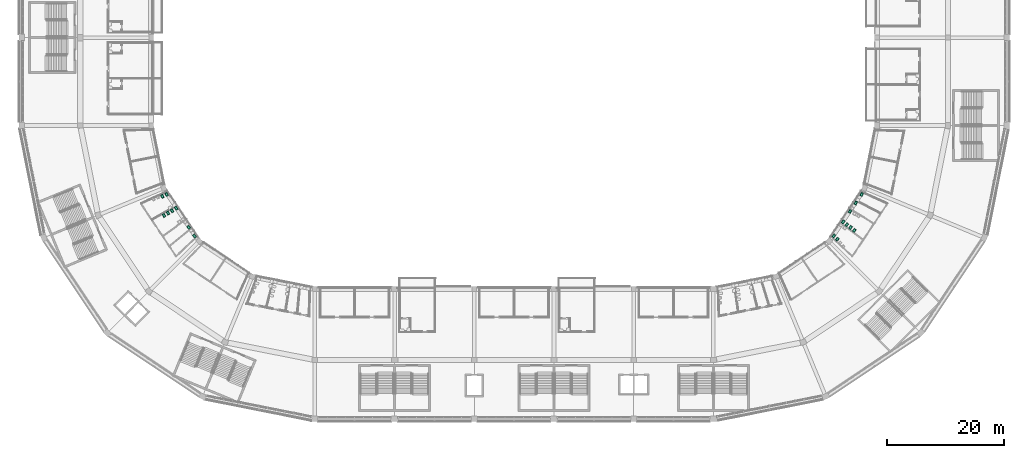
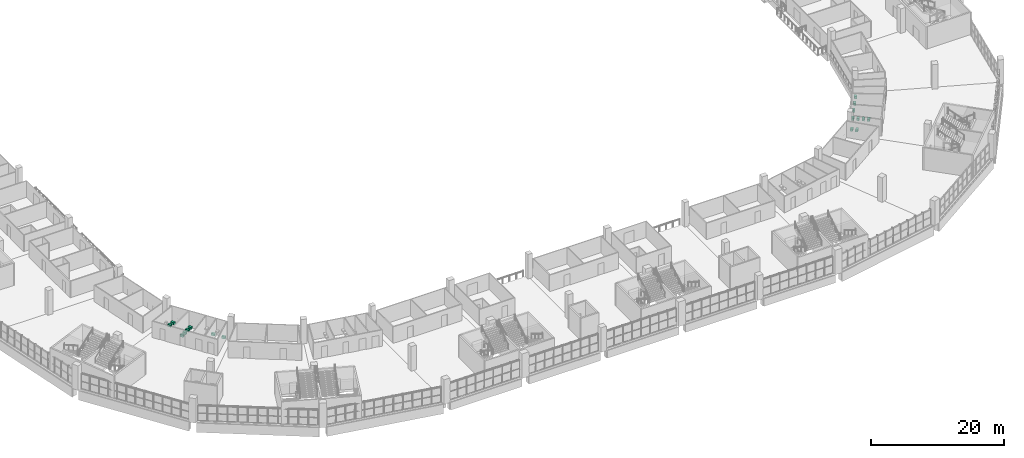
# One storey, part 193 of 199: 17 sanitary terminals.
"""IFC4 building model written with IfcOpenShell, lengths in metres."""

from ifc_helpers import new_model, si_unit, direction, frame, origin, origin_2d, place, context, subcontext, project, spatial, rectangle, extrude, material, type_object, element, save


model = new_model("IFC4")

# Units and contexts
model_context = context("Model", 3, precision=1e-05, world=origin(), true_north=direction((0.0, 1.0)))
body_context = subcontext(model_context, "Body", "Model", "MODEL_VIEW")
ifc_project = project(units=[si_unit("LENGTHUNIT", "METRE"), si_unit("AREAUNIT", "SQUARE_METRE"), si_unit("VOLUMEUNIT", "CUBIC_METRE"), si_unit("PLANEANGLEUNIT", "RADIAN"), si_unit("MASSUNIT", "GRAM", prefix="KILO")], contexts=[model_context])

# Site, building, storey
site_placement = place(None, origin())
site = spatial("IfcSite", under=ifc_project, at=site_placement, CompositionType="ELEMENT")
building_placement = place(site_placement, origin())
building = spatial("IfcBuilding", under=site, at=building_placement, Name="Ogive Plaza Stadium", CompositionType="ELEMENT")
storey_placement = place(building_placement, frame((0.0, 0.0, 9.0)))
storey = spatial("IfcBuildingStorey", under=building, at=storey_placement, Name="L02", CompositionType="ELEMENT", Elevation=9.0)

# Sanitary terminals
ifc_material = material(Name="Vitreous china", Category="ceramic")
sanitary_terminal_type = type_object("IfcSanitaryTerminalType", Name="Water closet", PredefinedType="TOILETPAN", material=ifc_material)
for number, where, z_axis, x_axis, name in (
    (1, (54.525634765625, -71.3466796875, 0.0), (0.0, 0.0, 1.0), (0.729268442245, -0.684227695395, 0.0), "Water closet L02-041"),
    (2, (55.109130859375, -71.89404296875, 0.0), (0.0, 0.0, 1.0), (0.729268442245, -0.684227695395, 0.0), "Water closet L02-041"),
    (3, (-59.266845703125, -64.2509765625, 0.0), (0.0, 0.0, 1.0), (-0.911222913947, -0.411913584504, 0.0), "Water closet L02-069"),
    (4, (-59.995849609375, -64.58056640625, 0.0), (0.0, 0.0, 1.0), (-0.911222913947, -0.411913584504, 0.0), "Water closet L02-069"),
    (5, (56.10009765625, -68.940185546875, 0.0), (0.0, 0.0, 1.0), (0.795793837339, -0.605567641518, 0.0), "Water closet L02-042"),
    (6, (56.73681640625, -69.4248046875, 0.0), (0.0, 0.0, 1.0), (0.795793837339, -0.605567641518, 0.0), "Water closet L02-042"),
    (7, (57.373291015625, -69.9091796875, 0.0), (0.0, 0.0, 1.0), (0.795793837339, -0.605567641518, 0.0), "Water closet L02-042"),
    (8, (58.010009765625, -70.393798828125, 0.0), (0.0, 0.0, 1.0), (0.795793837339, -0.605567641518, 0.0), "Water closet L02-042"),
    (9, (57.280029296875, -67.162109375, 0.0), (0.0, 0.0, 1.0), (0.851921669732, -0.523669235912, 0.0), "Water closet L02-042"),
    (10, (-57.646240234375, -66.62646484375, 0.0), (0.0, 0.0, 1.0), (-0.864008666677, -0.50347693483, 0.0), "Water closet L02-070"),
    (11, (-58.33740234375, -67.029052734375, 0.0), (0.0, 0.0, 1.0), (-0.864008666677, -0.50347693483, 0.0), "Water closet L02-070"),
    (12, (-59.028564453125, -67.431884765625, 0.0), (0.0, 0.0, 1.0), (-0.864008666677, -0.50347693483, 0.0), "Water closet L02-070"),
    (13, (-59.7197265625, -67.834716796875, 0.0), (0.0, 0.0, 1.0), (-0.864008666677, -0.50347693483, 0.0), "Water closet L02-070"),
    (14, (58.273681640625, -65.707275390625, 0.0), (0.0, 0.0, 1.0), (0.883532763661, -0.468369358025, 0.0), "Water closet L02-043"),
    (15, (59.266845703125, -64.2509765625, 0.0), (0.0, 0.0, 1.0), (0.911222913947, -0.411913584504, 0.0), "Water closet L02-044"),
    (16, (-55.4912109375, -69.871826171875, 0.0), (0.0, 0.0, 1.0), (-0.77083021414, -0.637040643106, 0.0), "Water closet L02-071"),
    (17, (-54.525634765625, -71.3466796875, 0.0), (0.0, 0.0, 1.0), (-0.729268442245, -0.684227695395, 0.0), "Water closet L02-072"),
):
    element("IfcSanitaryTerminal", number, at=place(storey_placement, frame(where, z_axis=z_axis, x_axis=x_axis)), inside=storey, type_object=sanitary_terminal_type, Name=name, PredefinedType="TOILETPAN", context=body_context, shape_type="SweptSolid", body=[
        extrude(rectangle(XDim=0.39990234375, YDim=0.60009765625, at=origin_2d()), origin(), (0.0, 0.0, 1.0), 0.39990234375),
    ])

save(model, "model.ifc")
